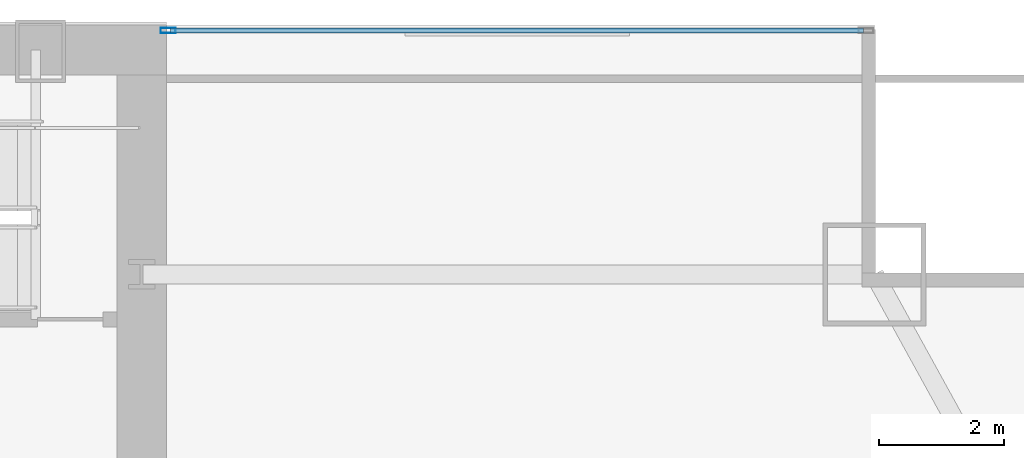
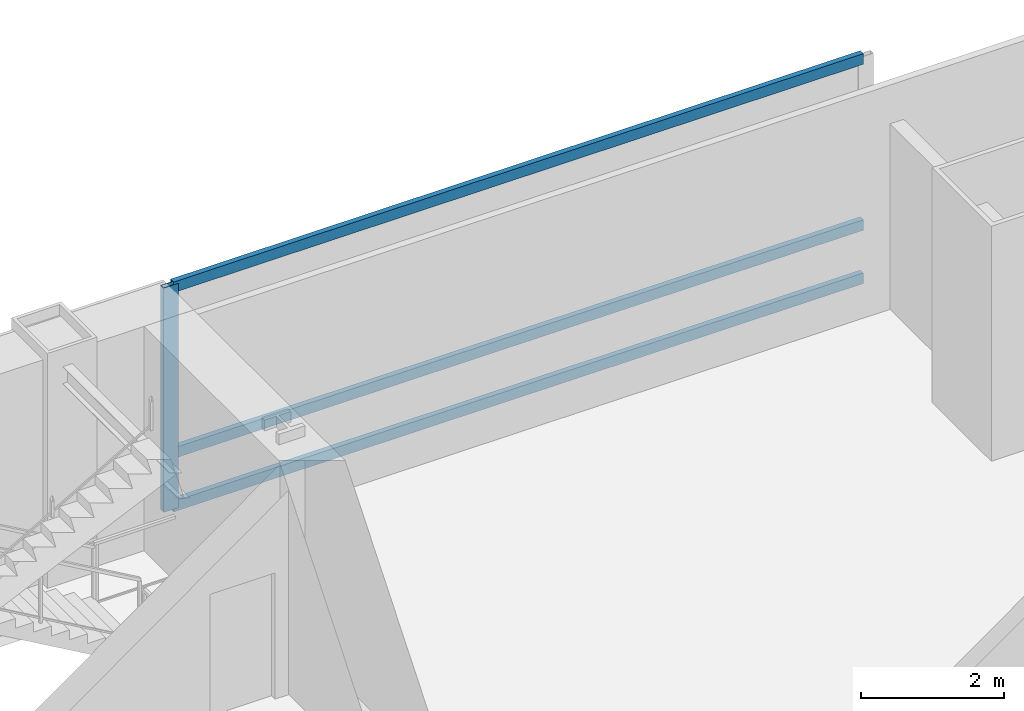
# One storey, part 20 of 32: 4 members, 1 element without a shape of its own.
"""IFC4 building model written with IfcOpenShell, lengths in metres."""

from ifc_helpers import new_model, si_unit, direction, frame, origin, origin_2d, place, context, subcontext, project, spatial, hollow_rectangle, extrude, material, material_profile, profile_set, type_object, element, aggregate, save


model = new_model("IFC4")

# Units and contexts
model_context = context("Model", 3, precision=1e-05, world=origin(), true_north=direction((0.0, 1.0)))
body_context = subcontext(model_context, "Body", "Model", "MODEL_VIEW")
ifc_project = project(units=[si_unit("LENGTHUNIT", "METRE"), si_unit("AREAUNIT", "SQUARE_METRE"), si_unit("VOLUMEUNIT", "CUBIC_METRE"), si_unit("PLANEANGLEUNIT", "RADIAN"), si_unit("MASSUNIT", "GRAM", prefix="KILO")], contexts=[model_context])

# Site, building, storey
site_placement = place(None, origin())
site = spatial("IfcSite", under=ifc_project, at=site_placement, CompositionType="ELEMENT")
building_placement = place(site_placement, origin())
building = spatial("IfcBuilding", under=site, at=building_placement, Name="Khoronbel Lancet Exchange", CompositionType="ELEMENT")
storey_placement = place(building_placement, frame((0.0, 0.0, 29.800048828125)))
storey = spatial("IfcBuildingStorey", under=building, at=storey_placement, Name="L06", CompositionType="ELEMENT", Elevation=29.800048828125)

# Curtain wall, members
ifc_material_1 = material(Name="Low-E Solar Control Insulating Glass", Category="glass")
curtain_wall_type = type_object("IfcCurtainWallType", Name="CW-1", PredefinedType="NOTDEFINED", material=ifc_material_1)
curtain_wall_placement = place(storey_placement, origin())
curtain_wall = element("IfcCurtainWall", 1, at=curtain_wall_placement, inside=storey, type_object=curtain_wall_type, Name="Unitised curtain wall CW-L06-NEFLK", PredefinedType="NOTDEFINED")
ifc_material_2 = material(Name="Bronze-Anodised Aluminium 6063-T6", Category="aluminium")
ifc_material_profile_1 = material_profile(ifc_material_2, hollow_rectangle(XDim=0.0849609375, YDim=0.239990234375, WallThickness=0.006103515625, at=origin_2d()), Name="ALU MULLION 85x240")
ifc_profile_set_1 = profile_set([ifc_material_profile_1], Name="Bronze-Anodised Aluminium 6063-T6")
member_type_1 = type_object("IfcMemberType", Name="MEM-CWM1", PredefinedType="MULLION", material=ifc_profile_set_1)
member_1_placement = place(storey_placement, frame((56.722412109375, 53.610107421875, 0.0), z_axis=(0.0, 0.0, 1.0), x_axis=(0.0, -1.0, 0.0)))
member_1 = element("IfcMember", 2, at=member_1_placement, type_object=member_type_1, Name="CW1 mullion 2", PredefinedType="MULLION", context=body_context, shape_type="SweptSolid", body=[
    extrude(hollow_rectangle(XDim=0.0849609375, YDim=0.239990234375, WallThickness=0.006103515625, at=origin_2d()), origin(), (0.0, 0.0, 1.0), 3.820068359375),
])
ifc_material_profile_2 = material_profile(ifc_material_2, hollow_rectangle(XDim=0.0849609375, YDim=0.179931640625, WallThickness=0.0048828125, at=origin_2d()), Name="ALU TRANSOM 85x180")
ifc_profile_set_2 = profile_set([ifc_material_profile_2], Name="Bronze-Anodised Aluminium 6063-T6")
member_type_2 = type_object("IfcMemberType", Name="MEM-CWT1", PredefinedType="USERDEFINED", material=ifc_profile_set_2)
member_2_placement = place(storey_placement, frame((67.875, 53.610107421875, 0.04248046875), z_axis=(-1.0, 0.0, 0.0), x_axis=(0.0, -1.0, 0.0)))
member_2 = element("IfcMember", 3, at=member_2_placement, type_object=member_type_2, Name="CW1 transom 1.1", ObjectType="TRANSOM", PredefinedType="USERDEFINED", context=body_context, shape_type="SweptSolid", body=[
    extrude(hollow_rectangle(XDim=0.0849609375, YDim=0.179931640625, WallThickness=0.0048828125, at=origin_2d()), origin(), (0.0, 0.0, 1.0), 11.110107421875),
])
member_3_placement = place(storey_placement, frame((67.875, 53.610107421875, 0.949951171875), z_axis=(-1.0, 0.0, 0.0), x_axis=(0.0, -1.0, 0.0)))
member_3 = element("IfcMember", 4, at=member_3_placement, type_object=member_type_2, Name="CW1 transom 1.2", ObjectType="TRANSOM", PredefinedType="USERDEFINED", context=body_context, shape_type="SweptSolid", body=[
    extrude(hollow_rectangle(XDim=0.0849609375, YDim=0.179931640625, WallThickness=0.0048828125, at=origin_2d()), origin(), (0.0, 0.0, 1.0), 11.110107421875),
])
member_4_placement = place(storey_placement, frame((67.875, 53.610107421875, 3.77734375), z_axis=(-1.0, 0.0, 0.0), x_axis=(0.0, -1.0, 0.0)))
member_4 = element("IfcMember", 5, at=member_4_placement, type_object=member_type_2, Name="CW1 transom 1.3", ObjectType="TRANSOM", PredefinedType="USERDEFINED", context=body_context, shape_type="SweptSolid", body=[
    extrude(hollow_rectangle(XDim=0.0849609375, YDim=0.179931640625, WallThickness=0.0048828125, at=origin_2d()), origin(), (0.0, 0.0, 1.0), 11.110107421875),
])
aggregate(curtain_wall, [member_1, member_2, member_3, member_4])

save(model, "model.ifc")
